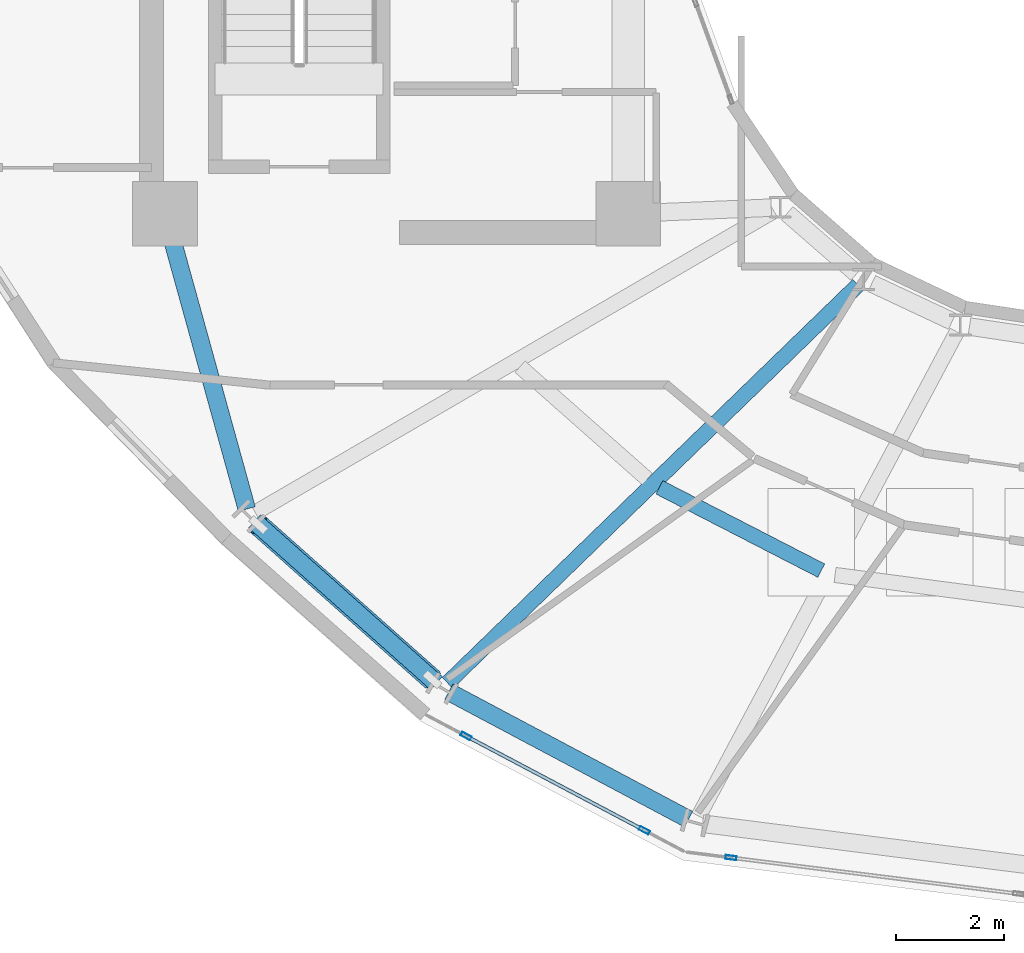
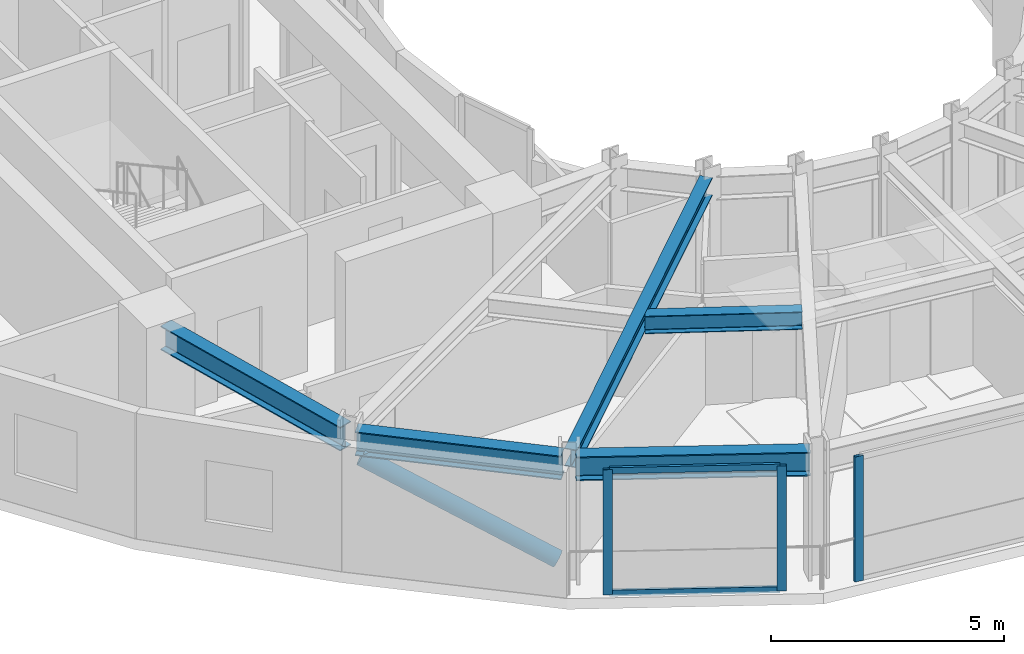
# One storey, part 2 of 24: 6 members, 5 beams, 2 elements without a shape of their own.
"""IFC4 building model written with IfcOpenShell, lengths in metres."""

from ifc_helpers import new_model, si_unit, direction, frame, origin, origin_2d, place, context, subcontext, project, spatial, hollow_rectangle, hollow_circle, i_section, extrude, material, layer, layer_set, material_profile, profile_set, type_object, element, aggregate, save


model = new_model("IFC4")

# Units and contexts
model_context = context("Model", 3, precision=1e-05, world=origin(), true_north=direction((0.0, 1.0)))
body_context = subcontext(model_context, "Body", "Model", "MODEL_VIEW")
ifc_project = project(units=[si_unit("LENGTHUNIT", "METRE"), si_unit("AREAUNIT", "SQUARE_METRE"), si_unit("VOLUMEUNIT", "CUBIC_METRE"), si_unit("PLANEANGLEUNIT", "RADIAN"), si_unit("MASSUNIT", "GRAM", prefix="KILO")], contexts=[model_context])

# Site, building, storey
site_placement = place(None, origin())
site = spatial("IfcSite", under=ifc_project, at=site_placement, CompositionType="ELEMENT")
building_placement = place(site_placement, origin())
building = spatial("IfcBuilding", under=site, at=building_placement, Name="Solvane Sanctuary Tower", CompositionType="ELEMENT")
storey_placement = place(building_placement, frame((0.0, 0.0, 246.0)))
storey = spatial("IfcBuildingStorey", under=building, at=storey_placement, Name="L75", CompositionType="ELEMENT", Elevation=246.0)

# Beams
ifc_material_1 = material(Name="Steel ASTM A992 Grade 50", Category="steel")
ifc_material_profile_1 = material_profile(ifc_material_1, i_section(OverallWidth=0.282958984375, OverallDepth=0.471923828125, WebThickness=0.013671875, FlangeThickness=0.022216796875, FilletRadius=0.013916015625, at=origin_2d()), Name="W18X97")
ifc_profile_set_1 = profile_set([ifc_material_profile_1], Name="Steel ASTM A992 Grade 50")
beam_type_1 = type_object("IfcBeamType", Name="Beam B-RAD-Z4 W18X97", PredefinedType="JOIST", material=ifc_profile_set_1)
beam_1_placement = place(storey_placement, frame((28.16943359375, 15.575927734375, 3.08203125), z_axis=(-0.71793137972, -0.696113880061, 0.0), x_axis=(0.696113880061, -0.71793137972, 0.0)))
element("IfcBeam", 1, at=beam_1_placement, inside=storey, type_object=beam_type_1, Name="L75 Radial Composite Floor Beam 09", PredefinedType="JOIST", context=body_context, shape_type="SweptSolid", body=[
    extrude(i_section(OverallWidth=0.282958984375, OverallDepth=0.471923828125, WebThickness=0.013671875, FlangeThickness=0.022216796875, FilletRadius=0.013916015625, at=origin_2d()), origin(), (0.0, 0.0, 1.0), 10.619384765625),
])
ifc_material_profile_2 = material_profile(ifc_material_1, i_section(OverallWidth=0.280029296875, OverallDepth=0.462890625, WebThickness=0.0107421875, FlangeThickness=0.017333984375, FilletRadius=0.013916015625, at=origin_2d()), Name="W18X76")
ifc_profile_set_2 = profile_set([ifc_material_profile_2], Name="Steel ASTM A992 Grade 50")
beam_type_2 = type_object("IfcBeamType", Name="Beam B-SEC-JOIST W18X76", PredefinedType="JOIST", material=ifc_profile_set_2)
beam_2_placement = place(storey_placement, frame((24.47900390625, 11.8173828125, 3.08642578125), z_axis=(0.88924080122, -0.4574393921, 0.0), x_axis=(0.4574393921, 0.88924080122, 0.0)))
element("IfcBeam", 2, at=beam_2_placement, inside=storey, type_object=beam_type_2, Name="L75 Secondary Circumferential Joist 09-10", PredefinedType="JOIST", context=body_context, shape_type="SweptSolid", body=[
    extrude(i_section(OverallWidth=0.280029296875, OverallDepth=0.462890625, WebThickness=0.0107421875, FlangeThickness=0.017333984375, FilletRadius=0.013916015625, at=origin_2d()), origin(), (0.0, 0.0, 1.0), 3.380615234375),
])
ifc_material_profile_3 = material_profile(ifc_material_1, i_section(OverallWidth=0.327880859375, OverallDepth=0.6279296875, WebThickness=0.0166015625, FlangeThickness=0.027587890625, FilletRadius=0.01611328125, at=origin_2d()), Name="W24X146")
ifc_profile_set_3 = profile_set([ifc_material_profile_3], Name="Steel ASTM A992 Grade 50")
beam_type_3 = type_object("IfcBeamType", Name="Beam B-SPAND-Z3 W24X146", PredefinedType="SPANDREL", material=ifc_profile_set_3)
beam_3_placement = place(storey_placement, frame((15.374755859375, 16.630126953125, 3.00390625), z_axis=(0.266650248701, -0.963793362121, 0.0), x_axis=(0.963793362121, 0.266650248701, 0.0)))
element("IfcBeam", 3, at=beam_3_placement, inside=storey, type_object=beam_type_3, Name="L75 Perimeter Spandrel Beam CW1-TC08", PredefinedType="SPANDREL", context=body_context, shape_type="SweptSolid", body=[
    extrude(i_section(OverallWidth=0.327880859375, OverallDepth=0.6279296875, WebThickness=0.0166015625, FlangeThickness=0.027587890625, FilletRadius=0.01611328125, at=origin_2d()), origin(), (0.0, 0.0, 1.0), 5.412109375),
])
beam_4_placement = place(storey_placement, frame((16.959716796875, 11.18603515625, 3.00390625), z_axis=(0.747206834793, -0.664591563322, 0.0), x_axis=(0.664591563322, 0.747206834793, 0.0)))
element("IfcBeam", 4, at=beam_4_placement, inside=storey, type_object=beam_type_3, Name="L75 Perimeter Spandrel Beam TC08-TC09", PredefinedType="SPANDREL", context=body_context, shape_type="SweptSolid", body=[
    extrude(i_section(OverallWidth=0.327880859375, OverallDepth=0.6279296875, WebThickness=0.0166015625, FlangeThickness=0.027587890625, FilletRadius=0.01611328125, at=origin_2d()), origin(), (0.0, 0.0, 1.0), 4.5244140625),
])
beam_5_placement = place(storey_placement, frame((20.568603515625, 8.0205078125, 3.00390625), z_axis=(0.883011615456, -0.469351133981, 0.0), x_axis=(0.469351133981, 0.883011615456, 0.0)))
element("IfcBeam", 5, at=beam_5_placement, inside=storey, type_object=beam_type_3, Name="L75 Perimeter Spandrel Beam TC09-TC10", PredefinedType="SPANDREL", context=body_context, shape_type="SweptSolid", body=[
    extrude(i_section(OverallWidth=0.327880859375, OverallDepth=0.6279296875, WebThickness=0.0166015625, FlangeThickness=0.027587890625, FilletRadius=0.01611328125, at=origin_2d()), origin(), (0.0, 0.0, 1.0), 5.04150390625),
])

# Curtain wall, members
ifc_material_2 = material(Name="Anodised Aluminium 6063-T6", Category="aluminium")
ifc_layer = layer(ifc_material_2, 0.18994140625, Name="Anodised Aluminium 6063-T6")
ifc_layer_set = layer_set([ifc_layer], Name="Anodised Aluminium 6063-T6")
curtain_wall_type = type_object("IfcCurtainWallType", Name="Curtain Wall CW-OPER", PredefinedType="NOTDEFINED", material=ifc_layer_set)
curtain_wall_1_placement = place(storey_placement, origin())
curtain_wall_1 = element("IfcCurtainWall", 6, at=curtain_wall_1_placement, inside=storey, type_object=curtain_wall_type, Name="L75 CW-OPER Facade Run 16", PredefinedType="NOTDEFINED")
ifc_material_profile_4 = material_profile(ifc_material_2, hollow_rectangle(XDim=0.074951171875, YDim=0.199951171875, WallThickness=0.00390625, at=origin_2d()), Name="ALU200X75X4")
ifc_profile_set_4 = profile_set([ifc_material_profile_4], Name="Anodised Aluminium 6063-T6")
member_type_1 = type_object("IfcMemberType", Name="Member M-CW-MUL-1 ALU200X75X4", PredefinedType="MULLION", material=ifc_profile_set_4)
member_1_placement = place(storey_placement, frame((20.887939453125, 7.199951171875, 0.0), z_axis=(0.0, 0.0, 1.0), x_axis=(0.467523293544, 0.883980752049, 0.0)))
member_1 = element("IfcMember", 7, at=member_1_placement, type_object=member_type_1, Name="CW-OPER mullion 1", PredefinedType="MULLION", context=body_context, shape_type="SweptSolid", body=[
    extrude(hollow_rectangle(XDim=0.074951171875, YDim=0.199951171875, WallThickness=0.00390625, at=origin_2d()), origin(), (0.0, 0.0, 1.0), 3.280029296875),
])
member_2_placement = place(storey_placement, frame((24.198974609375, 5.448974609375, 0.0), z_axis=(0.0, 0.0, 1.0), x_axis=(0.467523293544, 0.883980752049, 0.0)))
member_2 = element("IfcMember", 8, at=member_2_placement, type_object=member_type_1, Name="CW-OPER mullion 2", PredefinedType="MULLION", context=body_context, shape_type="SweptSolid", body=[
    extrude(hollow_rectangle(XDim=0.074951171875, YDim=0.199951171875, WallThickness=0.00390625, at=origin_2d()), origin(), (0.0, 0.0, 1.0), 3.280029296875),
])

# Curtain wall, member
curtain_wall_2_placement = place(storey_placement, origin())
curtain_wall_2 = element("IfcCurtainWall", 9, at=curtain_wall_2_placement, inside=storey, type_object=curtain_wall_type, Name="L75 CW-OPER Facade Run 17", PredefinedType="NOTDEFINED")
member_3_placement = place(storey_placement, frame((25.807861328125, 4.941162109375, 0.0), z_axis=(0.0, 0.0, 1.0), x_axis=(0.124814850727, 0.992180050716, 0.0)))
member_3 = element("IfcMember", 10, at=member_3_placement, type_object=member_type_1, Name="CW-OPER mullion 1", PredefinedType="MULLION", context=body_context, shape_type="SweptSolid", body=[
    extrude(hollow_rectangle(XDim=0.074951171875, YDim=0.199951171875, WallThickness=0.00390625, at=origin_2d()), origin(), (0.0, 0.0, 1.0), 3.280029296875),
])
aggregate(curtain_wall_2, [member_3])

# Member
ifc_material_profile_5 = material_profile(ifc_material_2, hollow_rectangle(XDim=0.06494140625, YDim=0.159912109375, WallThickness=0.00341796875, at=origin_2d()), Name="ALU160X65X3.5")
ifc_profile_set_5 = profile_set([ifc_material_profile_5], Name="Anodised Aluminium 6063-T6")
member_type_2 = type_object("IfcMemberType", Name="Member M-CW-TRN-1 ALU160X65X3.5", PredefinedType="USERDEFINED", material=ifc_profile_set_5)
member_4_placement = place(storey_placement, frame((20.921142578125, 7.1826171875, 0.032470703125), z_axis=(0.883977140568, -0.467530121975, 0.0), x_axis=(0.467530121975, 0.883977140568, 0.0)))
member_4 = element("IfcMember", 11, at=member_4_placement, type_object=member_type_2, Name="CW-OPER transom 1.1", ObjectType="TRANSOM", PredefinedType="USERDEFINED", context=body_context, shape_type="SweptSolid", body=[
    extrude(hollow_rectangle(XDim=0.06494140625, YDim=0.159912109375, WallThickness=0.00341796875, at=origin_2d()), origin(), (0.0, 0.0, 1.0), 3.67041015625),
])

member_5_placement = place(storey_placement, frame((20.921142578125, 7.1826171875, 3.24755859375), z_axis=(0.883977140568, -0.467530121975, 0.0), x_axis=(0.467530121975, 0.883977140568, 0.0)))
member_5 = element("IfcMember", 12, at=member_5_placement, type_object=member_type_2, Name="CW-OPER transom 1.2", ObjectType="TRANSOM", PredefinedType="USERDEFINED", context=body_context, shape_type="SweptSolid", body=[
    extrude(hollow_rectangle(XDim=0.06494140625, YDim=0.159912109375, WallThickness=0.00341796875, at=origin_2d()), origin(), (0.0, 0.0, 1.0), 3.67041015625),
])

aggregate(curtain_wall_1, [member_1, member_2, member_4, member_5])

ifc_material_profile_6 = material_profile(ifc_material_1, hollow_circle(Radius=0.202880859375, WallThickness=0.012451171875, at=origin_2d()), Name="CHS406X12.5")
ifc_profile_set_6 = profile_set([ifc_material_profile_6], Name="Steel ASTM A992 Grade 50")
member_type_3 = type_object("IfcMemberType", Name="Member M-TUBE-Z3 CHS406X12.5", PredefinedType="BRACE", material=ifc_profile_set_6)
member_6_placement = place(storey_placement, frame((20.2607421875, 8.25, 0.49853515625), z_axis=(-0.673397052397, 0.598966005648, 0.433331436549), x_axis=(-0.664606066876, -0.747193934579, 0.0)))
element("IfcMember", 13, at=member_6_placement, inside=storey, type_object=member_type_3, Name="L75 Perimeter Braced-Tube Diagonal SW", PredefinedType="BRACE", context=body_context, shape_type="SweptSolid", body=[
    extrude(hollow_circle(Radius=0.202880859375, WallThickness=0.012451171875, at=origin_2d()), origin(), (0.0, 0.0, 1.0), 4.788818359375),
])

save(model, "model.ifc")
